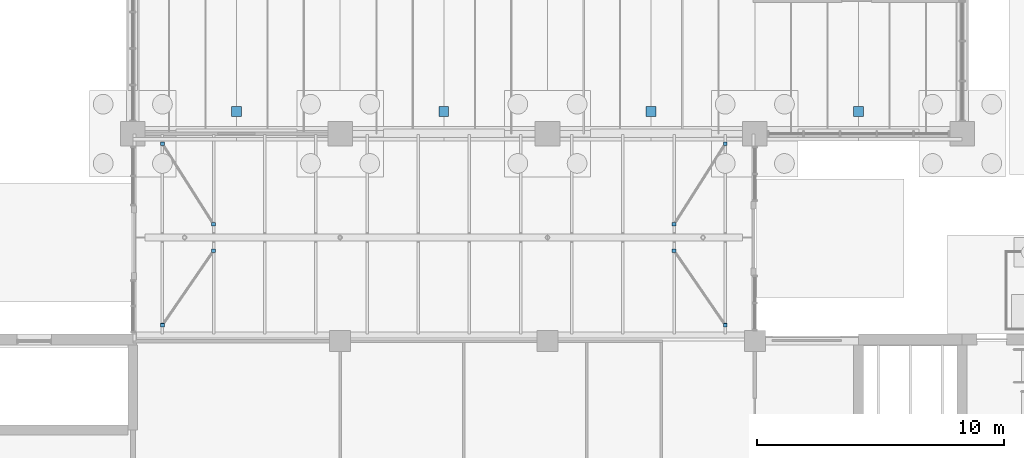
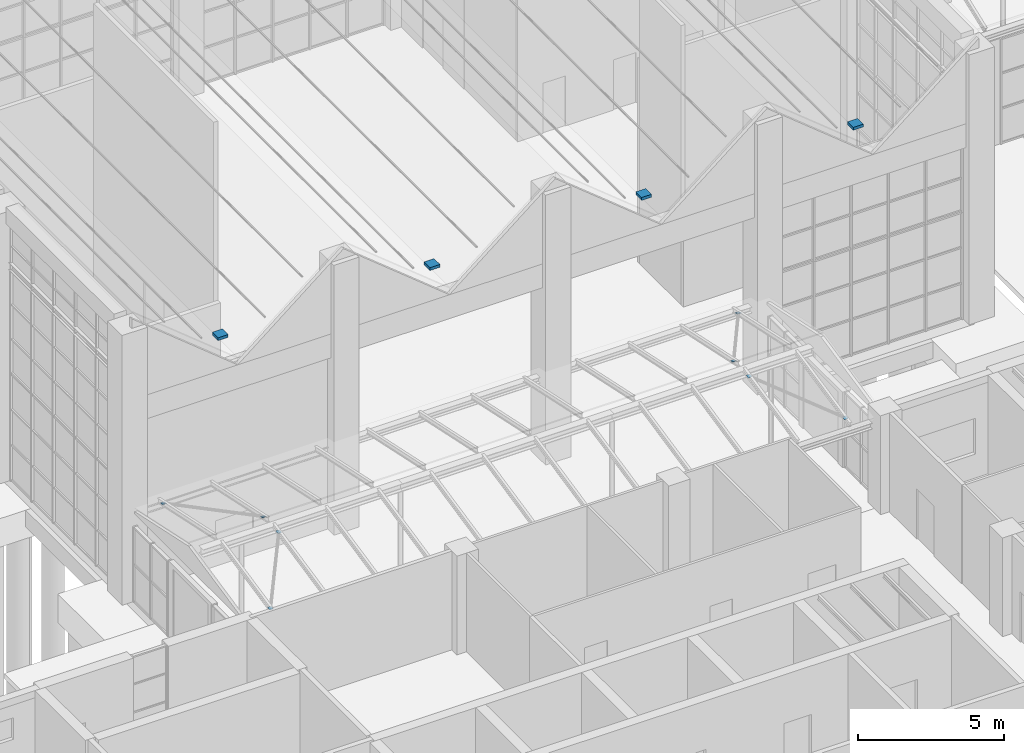
# One storey, part 127 of 138: 12 discrete accessories.
"""IFC4 building model written with IfcOpenShell, lengths in metres."""

from ifc_helpers import new_model, si_unit, direction, frame, origin, origin_2d, place, context, subcontext, project, spatial, rectangle, extrude, material, material_profile, profile_set, type_object, element, save


model = new_model("IFC4")

# Units and contexts
model_context = context("Model", 3, precision=1e-05, world=origin(), true_north=direction((0.0, 1.0)))
body_context = subcontext(model_context, "Body", "Model", "MODEL_VIEW")
ifc_project = project(units=[si_unit("LENGTHUNIT", "METRE"), si_unit("AREAUNIT", "SQUARE_METRE"), si_unit("VOLUMEUNIT", "CUBIC_METRE"), si_unit("PLANEANGLEUNIT", "RADIAN"), si_unit("MASSUNIT", "GRAM", prefix="KILO")], contexts=[model_context])

# Site, building, storey
site_placement = place(None, origin())
site = spatial("IfcSite", under=ifc_project, at=site_placement, CompositionType="ELEMENT")
building_placement = place(site_placement, origin())
building = spatial("IfcBuilding", under=site, at=building_placement, Name="Yavir Park General Hospital", CompositionType="ELEMENT")
storey_placement = place(building_placement, origin())
storey = spatial("IfcBuildingStorey", under=building, at=storey_placement, Name="L00", CompositionType="ELEMENT", Elevation=0.0)

# Discrete accessories
ifc_material_1 = material(Name="Steel S355", Category="steel")
ifc_material_profile = material_profile(ifc_material_1, rectangle(XDim=0.14990234375, YDim=0.14990234375, at=origin_2d()), Name="PL150x150")
ifc_profile_set = profile_set([ifc_material_profile], Name="Steel S355")
discrete_accessory_type_1 = type_object("IfcDiscreteAccessoryType", Name="Brace gusset plate 150 x 150 x 10", PredefinedType="BRACKET", material=ifc_profile_set)
for number, where, z_axis, x_axis, name in (
    (1, (76.800048828125, 34.25341796875, 3.67919921875), (0.0, -0.219512195122, 0.975609756098), (1.0, 0.0, 0.0), "Foyer roof brace 1 gusset plate 1"),
    (2, (78.872802734375, 37.27001953125, 4.32568359375), (0.0, -0.196116135138, 0.980580675691), (1.0, 0.0, 0.0), "Foyer roof brace 1 gusset plate 2"),
    (3, (99.60009765625, 34.25341796875, 3.67919921875), (0.0, -0.219512195122, 0.975609756098), (1.0, 0.0, 0.0), "Foyer roof brace 2 gusset plate 1"),
    (4, (97.52734375, 37.27001953125, 4.32568359375), (0.0, -0.196116135138, 0.980580675691), (1.0, 0.0, 0.0), "Foyer roof brace 2 gusset plate 2"),
    (5, (76.800048828125, 41.5966796875, 3.625732421875), (0.0, 0.196116135138, 0.980580675691), (-1.0, 0.0, 0.0), "Foyer roof brace 3 gusset plate 1"),
    (6, (78.872802734375, 38.329833984375, 4.32568359375), (0.0, 0.219512195122, 0.975609756098), (-1.0, 0.0, 0.0), "Foyer roof brace 3 gusset plate 2"),
    (7, (99.60009765625, 41.5966796875, 3.625732421875), (0.0, 0.196116135138, 0.980580675691), (-1.0, 0.0, 0.0), "Foyer roof brace 4 gusset plate 1"),
    (8, (97.52734375, 38.329833984375, 4.32568359375), (0.0, 0.219512195122, 0.975609756098), (-1.0, 0.0, 0.0), "Foyer roof brace 4 gusset plate 2"),
):
    element("IfcDiscreteAccessory", number, at=place(storey_placement, frame(where, z_axis=z_axis, x_axis=x_axis)), inside=storey, type_object=discrete_accessory_type_1, Name=name, PredefinedType="BRACKET", context=body_context, shape_type="SweptSolid", body=[
        extrude(rectangle(XDim=0.14990234375, YDim=0.14990234375, at=origin_2d()), origin(), (0.0, 0.0, 1.0), 0.010009765625),
    ])
ifc_material_2 = material(Name="Cast iron outlet with leaf guard")
discrete_accessory_type_2 = type_object("IfcDiscreteAccessoryType", Name="Roof outlet 400 x 400", PredefinedType="NOTDEFINED", material=ifc_material_2)
for number, where, z_axis, x_axis, name in (
    (9, (79.800048828125, 42.89990234375, 8.7939453125), (0.0, 0.0, 1.0), (1.0, 0.0, 0.0), "Roof outlet HALL-F01.1"),
    (10, (88.199951171875, 42.89990234375, 8.7939453125), (0.0, 0.0, 1.0), (1.0, 0.0, 0.0), "Roof outlet HALL-F03.1"),
    (11, (96.60009765625, 42.89990234375, 8.7939453125), (0.0, 0.0, 1.0), (1.0, 0.0, 0.0), "Roof outlet HALL-F05.1"),
    (12, (105.0, 42.89990234375, 8.7939453125), (0.0, 0.0, 1.0), (1.0, 0.0, 0.0), "Roof outlet HALL-F07.1"),
):
    element("IfcDiscreteAccessory", number, at=place(storey_placement, frame(where, z_axis=z_axis, x_axis=x_axis)), inside=storey, type_object=discrete_accessory_type_2, Name=name, PredefinedType="NOTDEFINED", context=body_context, shape_type="SweptSolid", body=[
        extrude(rectangle(XDim=0.39990234375, YDim=0.39990234375, at=origin_2d()), origin(), (0.0, 0.0, 1.0), 0.1201171875),
    ])

save(model, "model.ifc")
